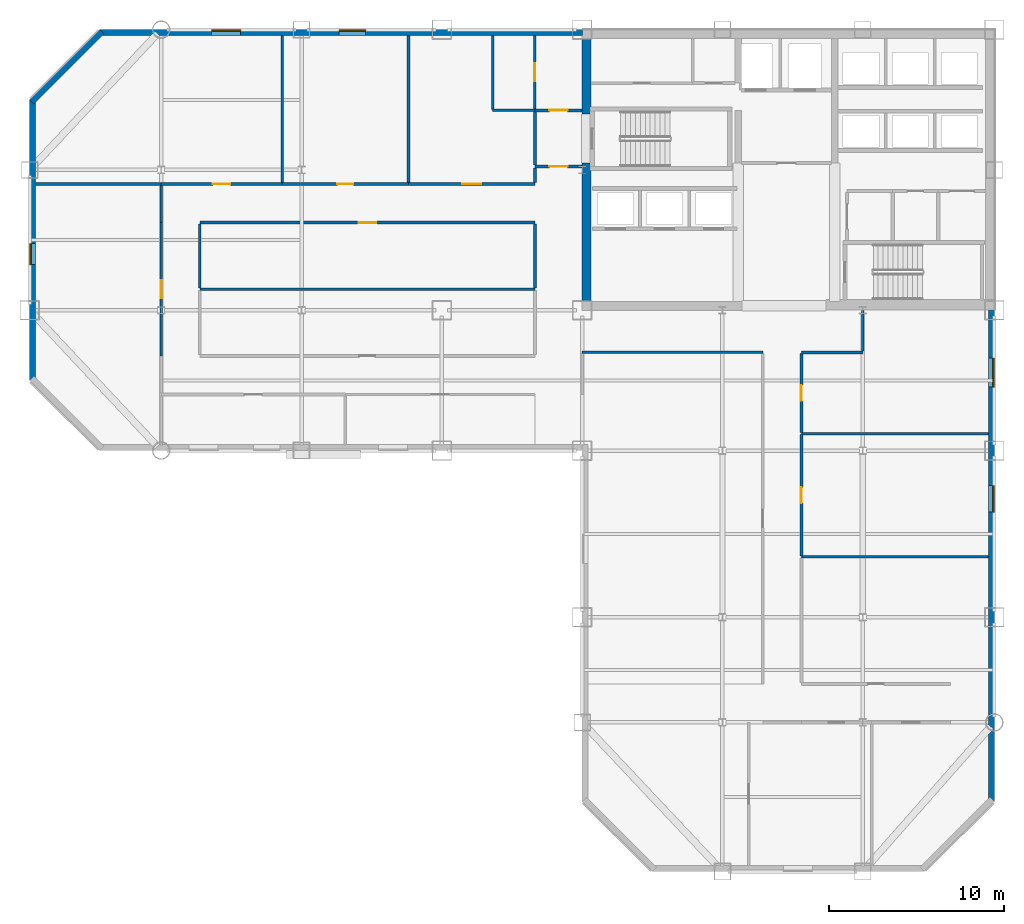
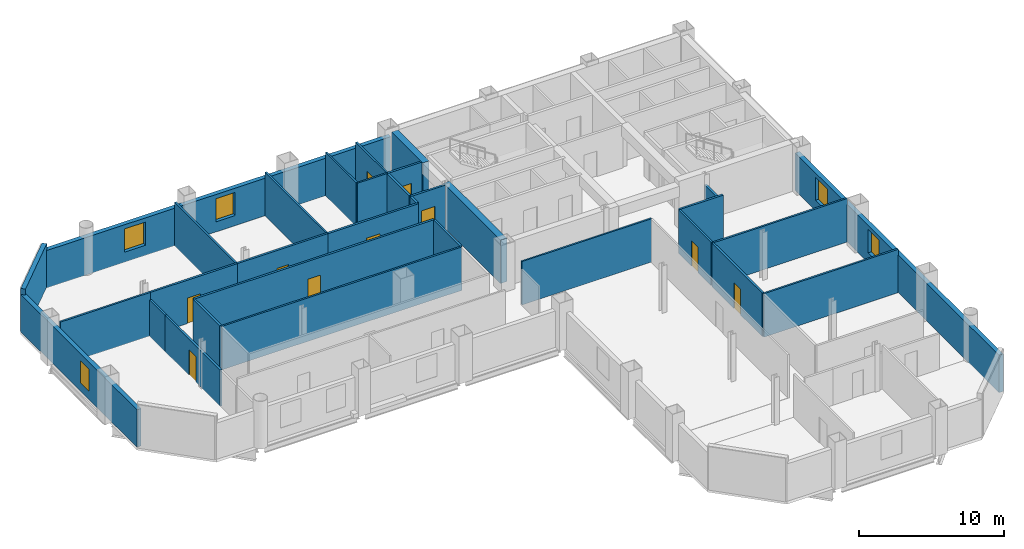
# One storey, part 6 of 10: 32 walls, 10 doors, 5 windows, 15 openings.
"""IFC4 building model written with IfcOpenShell, lengths in metres."""

from ifc_helpers import new_model, si_unit, direction, frame, frame_2d, origin, place, context, subcontext, project, spatial, rectangle, extrude, material, layer, layer_set, type_object, element, fill, save


model = new_model("IFC4")

# Units and contexts
model_context = context("Model", 3, precision=1e-05, world=origin(), true_north=direction((0.0, 1.0)))
body_context = subcontext(model_context, "Body", "Model", "MODEL_VIEW")
ifc_project = project(units=[si_unit("LENGTHUNIT", "METRE"), si_unit("AREAUNIT", "SQUARE_METRE"), si_unit("VOLUMEUNIT", "CUBIC_METRE"), si_unit("PLANEANGLEUNIT", "RADIAN"), si_unit("MASSUNIT", "GRAM", prefix="KILO")], contexts=[model_context])

# Site, building, storey
site_placement = place(None, origin())
site = spatial("IfcSite", under=ifc_project, at=site_placement, CompositionType="ELEMENT")
building_placement = place(site_placement, origin())
building = spatial("IfcBuilding", under=site, at=building_placement, Name="Qianrong Seaharbour Tower", CompositionType="ELEMENT")
storey_placement = place(building_placement, frame((0.0, 0.0, 191.0)))
storey = spatial("IfcBuildingStorey", under=building, at=storey_placement, Name="L46", CompositionType="ELEMENT", Elevation=191.0)

# Walls
ifc_material_1 = material(Name="Concrete C60/75", Category="concrete")
ifc_layer_1 = layer(ifc_material_1, 0.5)
ifc_layer_set_1 = layer_set([ifc_layer_1], Name="Concrete C60/75")
wall_type_1 = type_object("IfcWallType", Name="WALL-CORE-500", PredefinedType="SHEAR", material=ifc_layer_set_1)
wall_1_placement = place(storey_placement, frame((40.75, 36.5, 0.0), z_axis=(0.0, 0.0, 1.0), x_axis=(0.0, 1.0, 0.0)))
element("IfcWall", 1, at=wall_1_placement, inside=storey, type_object=wall_type_1, Name="L46 West Core Shear Wall South", PredefinedType="SHEAR", context=body_context, shape_type="SweptSolid", body=[
    extrude(rectangle(XDim=7.89990234375, YDim=0.5, at=frame_2d((3.949951171875, 0.0))), origin(), (0.0, 0.0, 1.0), 3.64990234375),
])
wall_2_placement = place(storey_placement, frame((40.75, 47.199951171875, 0.0), z_axis=(0.0, 0.0, 1.0), x_axis=(0.0, 1.0, 0.0)))
element("IfcWall", 2, at=wall_2_placement, inside=storey, type_object=wall_type_1, Name="L46 West Core Shear Wall North", PredefinedType="SHEAR", context=body_context, shape_type="SweptSolid", body=[
    extrude(rectangle(XDim=4.300048828125, YDim=0.5, at=frame_2d((2.14990234375, 0.0))), origin(), (0.0, 0.0, 1.0), 3.64990234375),
])

# Wall, opening, door
ifc_material_2 = material(Name="Fire-rated acoustic gypsum board partition")
ifc_layer_2 = layer(ifc_material_2, 0.1650390625)
ifc_layer_set_2 = layer_set([ifc_layer_2], Name="Fire-rated acoustic gypsum board partition")
wall_type_2 = type_object("IfcWallType", Name="WALL-CORR-PART-165", PredefinedType="PARTITIONING", material=ifc_layer_set_2)
wall_3_placement = place(storey_placement, frame((37.800048828125, 47.39990234375, 0.0), z_axis=(0.0, 0.0, 1.0), x_axis=(1.0, 0.0, 0.0)))
wall_3 = element("IfcWall", 3, at=wall_3_placement, inside=storey, type_object=wall_type_2, Name="L46 Interior Partition Wall 001", PredefinedType="PARTITIONING", context=body_context, shape_type="SweptSolid", body=[
    extrude(rectangle(XDim=2.699951171875, YDim=0.1650390625, at=frame_2d((1.35009765625, 0.0))), origin(), (0.0, 0.0, 1.0), 3.64990234375),
])
opening_1_placement = place(wall_3_placement, frame((0.824951171875, 0.0, 0.0)))
opening_1 = element("IfcOpeningElement", 4, at=opening_1_placement, cuts=wall_3, Name="Opening DC-01", PredefinedType="OPENING", context=body_context, shape_type="SweptSolid", body=[
    extrude(rectangle(XDim=1.050048828125, YDim=2.14990234375, at=frame_2d((0.52490234375, 1.074951171875))), frame((0.0, 0.092529296875, 0.0), z_axis=(0.0, -1.0, 0.0), x_axis=(1.0, 0.0, 0.0)), (0.0, 0.0, 1.0), 0.18505859375),
])
ifc_material_3 = material(Name="Acoustic timber and galvanized steel fire door assembly", Category="steel")
door_type_1 = type_object("IfcDoorType", Name="DOOR-CORR-FD60-1050x2150", OperationType="NOTDEFINED", PredefinedType="DOOR", material=ifc_material_3)
door_1_placement = place(opening_1_placement, origin())
door_1 = element("IfcDoor", 5, at=door_1_placement, inside=storey, type_object=door_type_1, Name="L46 Smokeproof Stair Vestibule ST-1 Door", OperationType="SINGLE_SWING_LEFT", OverallHeight=2.14990234375, OverallWidth=1.050048828125, PredefinedType="DOOR", context=body_context, shape_type="SweptSolid", body=[
    extrude(rectangle(XDim=1.050048828125, YDim=2.14990234375, at=frame_2d((0.52490234375, 1.074951171875))), frame((0.0, 0.02490234375, 0.0), z_axis=(0.0, -1.0, 0.0), x_axis=(1.0, 0.0, 0.0)), (0.0, 0.0, 1.0), 0.050048828125),
])
fill(opening_1, door_1)

wall_4_placement = place(storey_placement, frame((40.5, 44.199951171875, 0.0), z_axis=(0.0, 0.0, 1.0), x_axis=(-1.0, 0.0, 0.0)))
wall_4 = element("IfcWall", 6, at=wall_4_placement, inside=storey, type_object=wall_type_2, Name="L46 Interior Partition Wall 002", PredefinedType="PARTITIONING", context=body_context, shape_type="SweptSolid", body=[
    extrude(rectangle(XDim=2.699951171875, YDim=0.1650390625, at=frame_2d((1.35009765625, 0.0))), origin(), (0.0, 0.0, 1.0), 3.64990234375),
])
opening_2_placement = place(wall_4_placement, frame((0.824951171875, 0.0, 0.0)))
opening_2 = element("IfcOpeningElement", 7, at=opening_2_placement, cuts=wall_4, Name="Opening DC-01", PredefinedType="OPENING", context=body_context, shape_type="SweptSolid", body=[
    extrude(rectangle(XDim=1.050048828125, YDim=2.14990234375, at=frame_2d((0.52490234375, 1.074951171875))), frame((0.0, 0.092529296875, 0.0), z_axis=(0.0, -1.0, 0.0), x_axis=(1.0, 0.0, 0.0)), (0.0, 0.0, 1.0), 0.18505859375),
])
door_2_placement = place(opening_2_placement, origin())
door_2 = element("IfcDoor", 8, at=door_2_placement, inside=storey, type_object=door_type_1, Name="L46 Smokeproof Stair Vestibule ST-1 Door", OperationType="SINGLE_SWING_RIGHT", OverallHeight=2.14990234375, OverallWidth=1.050048828125, PredefinedType="DOOR", context=body_context, shape_type="SweptSolid", body=[
    extrude(rectangle(XDim=1.050048828125, YDim=2.14990234375, at=frame_2d((0.52490234375, 1.074951171875))), frame((0.0, 0.02490234375, 0.0), z_axis=(0.0, -1.0, 0.0), x_axis=(1.0, 0.0, 0.0)), (0.0, 0.0, 1.0), 0.050048828125),
])
fill(opening_2, door_2)

# Wall
wall_5_placement = place(storey_placement, frame((37.800048828125, 44.2744140625, 0.0), z_axis=(0.0, 0.0, 1.0), x_axis=(0.0, 1.0, 0.0)))
element("IfcWall", 9, at=wall_5_placement, inside=storey, type_object=wall_type_2, Name="L46 Interior Partition Wall 003", PredefinedType="PARTITIONING", context=body_context, shape_type="SweptSolid", body=[
    extrude(rectangle(XDim=3.051025390625, YDim=0.1650390625, at=frame_2d((1.525390625, 0.0))), origin(), (0.0, 0.0, 1.0), 3.64990234375),
])

# Wall, opening, door
wall_6_placement = place(storey_placement, frame((16.5, 43.199951171875, 0.0), z_axis=(0.0, 0.0, 1.0), x_axis=(1.0, 0.0, 0.0)))
wall_6 = element("IfcWall", 10, at=wall_6_placement, inside=storey, type_object=wall_type_2, Name="L46 Interior Partition Wall 021", PredefinedType="PARTITIONING", context=body_context, shape_type="SweptSolid", body=[
    extrude(rectangle(XDim=6.89990234375, YDim=0.1650390625, at=frame_2d((3.449951171875, 0.0))), origin(), (0.0, 0.0, 1.0), 3.64990234375),
])
opening_3_placement = place(wall_6_placement, frame((2.949951171875, 0.0, 0.0)))
opening_3 = element("IfcOpeningElement", 11, at=opening_3_placement, cuts=wall_6, Name="Opening DO-01", PredefinedType="OPENING", context=body_context, shape_type="SweptSolid", body=[
    extrude(rectangle(XDim=1.0, YDim=2.14990234375, at=frame_2d((0.5, 1.074951171875))), frame((0.0, 0.092529296875, 0.0), z_axis=(0.0, -1.0, 0.0), x_axis=(1.0, 0.0, 0.0)), (0.0, 0.0, 1.0), 0.18505859375),
])
door_type_2 = type_object("IfcDoorType", Name="DOOR-OFFICE-1000x2150", OperationType="NOTDEFINED", PredefinedType="DOOR", material=ifc_material_3)
door_3_placement = place(opening_3_placement, origin())
door_3 = element("IfcDoor", 12, at=door_3_placement, inside=storey, type_object=door_type_2, Name="L46 Legal Support Open-Plan Office Door", OperationType="SINGLE_SWING_RIGHT", OverallHeight=2.14990234375, OverallWidth=1.0, PredefinedType="DOOR", context=body_context, shape_type="SweptSolid", body=[
    extrude(rectangle(XDim=1.0, YDim=2.14990234375, at=frame_2d((0.5, 1.074951171875))), frame((0.0, 0.02490234375, 0.0), z_axis=(0.0, -1.0, 0.0), x_axis=(1.0, 0.0, 0.0)), (0.0, 0.0, 1.0), 0.050048828125),
])
fill(opening_3, door_3)

wall_7_placement = place(storey_placement, frame((23.39990234375, 43.199951171875, 0.0), z_axis=(0.0, 0.0, 1.0), x_axis=(1.0, 0.0, 0.0)))
wall_7 = element("IfcWall", 13, at=wall_7_placement, inside=storey, type_object=wall_type_2, Name="L46 Interior Partition Wall 022", PredefinedType="PARTITIONING", context=body_context, shape_type="SweptSolid", body=[
    extrude(rectangle(XDim=7.2001953125, YDim=0.1650390625, at=frame_2d((3.60009765625, 0.0))), origin(), (0.0, 0.0, 1.0), 3.64990234375),
])
opening_4_placement = place(wall_7_placement, frame((3.14990234375, 0.0, 0.0)))
opening_4 = element("IfcOpeningElement", 14, at=opening_4_placement, cuts=wall_7, Name="Opening DS-01", PredefinedType="OPENING", context=body_context, shape_type="SweptSolid", body=[
    extrude(rectangle(XDim=0.89990234375, YDim=2.14990234375, at=frame_2d((0.449951171875, 1.074951171875))), frame((0.0, 0.092529296875, 0.0), z_axis=(0.0, -1.0, 0.0), x_axis=(1.0, 0.0, 0.0)), (0.0, 0.0, 1.0), 0.18505859375),
])
door_type_3 = type_object("IfcDoorType", Name="DOOR-STORE-900x2150", OperationType="NOTDEFINED", PredefinedType="DOOR", material=ifc_material_3)
door_4_placement = place(opening_4_placement, origin())
door_4 = element("IfcDoor", 15, at=door_4_placement, inside=storey, type_object=door_type_3, Name="L46 Corporate Archive Room 1 Door", OperationType="SINGLE_SWING_LEFT", OverallHeight=2.14990234375, OverallWidth=0.89990234375, PredefinedType="DOOR", context=body_context, shape_type="SweptSolid", body=[
    extrude(rectangle(XDim=0.89990234375, YDim=2.14990234375, at=frame_2d((0.449951171875, 1.074951171875))), frame((0.0, 0.02490234375, 0.0), z_axis=(0.0, -1.0, 0.0), x_axis=(1.0, 0.0, 0.0)), (0.0, 0.0, 1.0), 0.050048828125),
])
fill(opening_4, door_4)

wall_8_placement = place(storey_placement, frame((30.60009765625, 43.199951171875, 0.0), z_axis=(0.0, 0.0, 1.0), x_axis=(1.0, 0.0, 0.0)))
wall_8 = element("IfcWall", 16, at=wall_8_placement, inside=storey, type_object=wall_type_2, Name="L46 Interior Partition Wall 023", PredefinedType="PARTITIONING", context=body_context, shape_type="SweptSolid", body=[
    extrude(rectangle(XDim=7.199951171875, YDim=0.1650390625, at=frame_2d((3.60009765625, 0.0))), origin(), (0.0, 0.0, 1.0), 3.64990234375),
])
opening_5_placement = place(wall_8_placement, frame((3.050048828125, 0.0, 0.0)))
opening_5 = element("IfcOpeningElement", 17, at=opening_5_placement, cuts=wall_8, Name="Opening DM-01", PredefinedType="OPENING", context=body_context, shape_type="SweptSolid", body=[
    extrude(rectangle(XDim=1.10009765625, YDim=2.199951171875, at=frame_2d((0.550048828125, 1.10009765625))), frame((0.0, 0.092529296875, 0.0), z_axis=(0.0, -1.0, 0.0), x_axis=(1.0, 0.0, 0.0)), (0.0, 0.0, 1.0), 0.18505859375),
])
door_type_4 = type_object("IfcDoorType", Name="DOOR-MEET-1100x2200", OperationType="NOTDEFINED", PredefinedType="DOOR", material=ifc_material_3)
door_5_placement = place(opening_5_placement, origin())
door_5 = element("IfcDoor", 18, at=door_5_placement, inside=storey, type_object=door_type_4, Name="L46 Boardroom 2 Door", OperationType="SINGLE_SWING_RIGHT", OverallHeight=2.199951171875, OverallWidth=1.10009765625, PredefinedType="DOOR", context=body_context, shape_type="SweptSolid", body=[
    extrude(rectangle(XDim=1.10009765625, YDim=2.199951171875, at=frame_2d((0.550048828125, 1.10009765625))), frame((0.0, 0.02490234375, 0.0), z_axis=(0.0, -1.0, 0.0), x_axis=(1.0, 0.0, 0.0)), (0.0, 0.0, 1.0), 0.050048828125),
])
fill(opening_5, door_5)

wall_9_placement = place(storey_placement, frame((37.800048828125, 41.0, 0.0), z_axis=(0.0, 0.0, 1.0), x_axis=(-1.0, 0.0, 0.0)))
wall_9 = element("IfcWall", 19, at=wall_9_placement, inside=storey, type_object=wall_type_2, Name="L46 Interior Partition Wall 024", PredefinedType="PARTITIONING", context=body_context, shape_type="SweptSolid", body=[
    extrude(rectangle(XDim=19.10009765625, YDim=0.1650390625, at=frame_2d((9.550048828125, 0.0))), origin(), (0.0, 0.0, 1.0), 3.64990234375),
])
opening_6_placement = place(wall_9_placement, frame((9.050048828125, 0.0, 0.0)))
opening_6 = element("IfcOpeningElement", 20, at=opening_6_placement, cuts=wall_9, Name="Opening DO-01", PredefinedType="OPENING", context=body_context, shape_type="SweptSolid", body=[
    extrude(rectangle(XDim=1.0, YDim=2.14990234375, at=frame_2d((0.5, 1.074951171875))), frame((0.0, 0.092529296875, 0.0), z_axis=(0.0, -1.0, 0.0), x_axis=(1.0, 0.0, 0.0)), (0.0, 0.0, 1.0), 0.18505859375),
])
door_6_placement = place(opening_6_placement, origin())
door_6 = element("IfcDoor", 21, at=door_6_placement, inside=storey, type_object=door_type_2, Name="L46 Arbitration Hearing Hall 2 Door", OperationType="SINGLE_SWING_RIGHT", OverallHeight=2.14990234375, OverallWidth=1.0, PredefinedType="DOOR", context=body_context, shape_type="SweptSolid", body=[
    extrude(rectangle(XDim=1.0, YDim=2.14990234375, at=frame_2d((0.5, 1.074951171875))), frame((0.0, 0.02490234375, 0.0), z_axis=(0.0, -1.0, 0.0), x_axis=(1.0, 0.0, 0.0)), (0.0, 0.0, 1.0), 0.050048828125),
])
fill(opening_6, door_6)

# Walls
wall_10_placement = place(storey_placement, frame((16.5, 41.0, 0.0), z_axis=(0.0, 0.0, 1.0), x_axis=(0.0, 1.0, 0.0)))
element("IfcWall", 22, at=wall_10_placement, inside=storey, type_object=wall_type_2, Name="L46 Interior Partition Wall 025", PredefinedType="PARTITIONING", context=body_context, shape_type="SweptSolid", body=[
    extrude(rectangle(XDim=2.12548828125, YDim=0.1650390625, at=frame_2d((1.062744140625, 0.0))), origin(), (0.0, 0.0, 1.0), 3.0419921875),
])
wall_11_placement = place(storey_placement, frame((18.699951171875, 40.925537109375, 0.0), z_axis=(0.0, 0.0, 1.0), x_axis=(0.0, -1.0, 0.0)))
element("IfcWall", 23, at=wall_11_placement, inside=storey, type_object=wall_type_2, Name="L46 Interior Partition Wall 027", PredefinedType="PARTITIONING", context=body_context, shape_type="SweptSolid", body=[
    extrude(rectangle(XDim=3.6611328125, YDim=0.1650390625, at=frame_2d((1.83056640625, 0.0))), origin(), (0.0, 0.0, 1.0), 3.64990234375),
])

# Wall, opening, door
wall_12_placement = place(storey_placement, frame((16.5, 33.39990234375, 0.0), z_axis=(0.0, 0.0, 1.0), x_axis=(0.0, 1.0, 0.0)))
wall_12 = element("IfcWall", 24, at=wall_12_placement, inside=storey, type_object=wall_type_2, Name="L46 Interior Partition Wall 028", PredefinedType="PARTITIONING", context=body_context, shape_type="SweptSolid", body=[
    extrude(rectangle(XDim=7.60009765625, YDim=0.1650390625, at=frame_2d((3.800048828125, 0.0))), origin(), (0.0, 0.0, 1.0), 3.0419921875),
])
opening_7_placement = place(wall_12_placement, frame((3.300048828125, 0.0, 0.0)))
opening_7 = element("IfcOpeningElement", 25, at=opening_7_placement, cuts=wall_12, Name="Opening DO-01", PredefinedType="OPENING", context=body_context, shape_type="SweptSolid", body=[
    extrude(rectangle(XDim=1.0, YDim=2.14990234375, at=frame_2d((0.5, 1.074951171875))), frame((0.0, 0.092529296875, 0.0), z_axis=(0.0, -1.0, 0.0), x_axis=(1.0, 0.0, 0.0)), (0.0, 0.0, 1.0), 0.18505859375),
])
door_7_placement = place(opening_7_placement, origin())
door_7 = element("IfcDoor", 26, at=door_7_placement, inside=storey, type_object=door_type_2, Name="L46 Registry Open-Plan Office Door", OperationType="SINGLE_SWING_LEFT", OverallHeight=2.14990234375, OverallWidth=1.0, PredefinedType="DOOR", context=body_context, shape_type="SweptSolid", body=[
    extrude(rectangle(XDim=1.0, YDim=2.14990234375, at=frame_2d((0.5, 1.074951171875))), frame((0.0, 0.02490234375, 0.0), z_axis=(0.0, -1.0, 0.0), x_axis=(1.0, 0.0, 0.0)), (0.0, 0.0, 1.0), 0.050048828125),
])
fill(opening_7, door_7)

# Walls
wall_13_placement = place(storey_placement, frame((37.800048828125, 43.2744140625, 0.0), z_axis=(0.0, 0.0, 1.0), x_axis=(0.0, 1.0, 0.0)))
element("IfcWall", 27, at=wall_13_placement, inside=storey, type_object=wall_type_2, Name="L46 Interior Partition Wall 029", PredefinedType="PARTITIONING", context=body_context, shape_type="SweptSolid", body=[
    extrude(rectangle(XDim=0.85107421875, YDim=0.1650390625, at=frame_2d((0.425537109375, 0.0))), origin(), (0.0, 0.0, 1.0), 3.64990234375),
])
wall_14_placement = place(storey_placement, frame((37.800048828125, 37.264404296875, 0.0), z_axis=(0.0, 0.0, 1.0), x_axis=(0.0, 1.0, 0.0)))
element("IfcWall", 28, at=wall_14_placement, inside=storey, type_object=wall_type_2, Name="L46 Interior Partition Wall 031", PredefinedType="PARTITIONING", context=body_context, shape_type="SweptSolid", body=[
    extrude(rectangle(XDim=3.6611328125, YDim=0.1650390625, at=frame_2d((1.83056640625, 0.0))), origin(), (0.0, 0.0, 1.0), 3.64990234375),
])
wall_15_placement = place(storey_placement, frame((56.5, 36.0, 0.0), z_axis=(0.0, 0.0, 1.0), x_axis=(0.0, -1.0, 0.0)))
element("IfcWall", 29, at=wall_15_placement, inside=storey, type_object=wall_type_2, Name="L46 Interior Partition Wall 033", PredefinedType="PARTITIONING", context=body_context, shape_type="SweptSolid", body=[
    extrude(rectangle(XDim=2.325439453125, YDim=0.1650390625, at=frame_2d((1.16259765625, 0.0))), origin(), (0.0, 0.0, 1.0), 3.0419921875),
])
wall_16_placement = place(storey_placement, frame((56.5, 33.60009765625, 0.0), z_axis=(0.0, 0.0, 1.0), x_axis=(-1.0, 0.0, 0.0)))
element("IfcWall", 30, at=wall_16_placement, inside=storey, type_object=wall_type_2, Name="L46 Interior Partition Wall 034", PredefinedType="PARTITIONING", context=body_context, shape_type="SweptSolid", body=[
    extrude(rectangle(XDim=3.5, YDim=0.1650390625, at=frame_2d((1.75, 0.0))), origin(), (0.0, 0.0, 1.0), 3.64990234375),
])

# Wall, opening, door
wall_17_placement = place(storey_placement, frame((53.0, 28.905517578125, 0.0), z_axis=(0.0, 0.0, 1.0), x_axis=(0.0, -1.0, 0.0)))
wall_17 = element("IfcWall", 31, at=wall_17_placement, inside=storey, type_object=wall_type_2, Name="L46 Interior Partition Wall 037", PredefinedType="PARTITIONING", context=body_context, shape_type="SweptSolid", body=[
    extrude(rectangle(XDim=6.901123046875, YDim=0.1650390625, at=frame_2d((3.45068359375, 0.0))), origin(), (0.0, 0.0, 1.0), 3.64990234375),
])
opening_8_placement = place(wall_17_placement, frame((3.00048828125, 0.0, 0.0)))
opening_8 = element("IfcOpeningElement", 32, at=opening_8_placement, cuts=wall_17, Name="Opening DS-01", PredefinedType="OPENING", context=body_context, shape_type="SweptSolid", body=[
    extrude(rectangle(XDim=0.89990234375, YDim=2.14990234375, at=frame_2d((0.449951171875, 1.074951171875))), frame((0.0, 0.092529296875, 0.0), z_axis=(0.0, -1.0, 0.0), x_axis=(1.0, 0.0, 0.0)), (0.0, 0.0, 1.0), 0.18505859375),
])
door_8_placement = place(opening_8_placement, origin())
door_8 = element("IfcDoor", 33, at=door_8_placement, inside=storey, type_object=door_type_3, Name="L46 Closed File Store 2 Door", OperationType="SINGLE_SWING_LEFT", OverallHeight=2.14990234375, OverallWidth=0.89990234375, PredefinedType="DOOR", context=body_context, shape_type="SweptSolid", body=[
    extrude(rectangle(XDim=0.89990234375, YDim=2.14990234375, at=frame_2d((0.449951171875, 1.074951171875))), frame((0.0, 0.02490234375, 0.0), z_axis=(0.0, -1.0, 0.0), x_axis=(1.0, 0.0, 0.0)), (0.0, 0.0, 1.0), 0.050048828125),
])
fill(opening_8, door_8)

wall_18_placement = place(storey_placement, frame((53.0, 33.525390625, 0.0), z_axis=(0.0, 0.0, 1.0), x_axis=(0.0, -1.0, 0.0)))
wall_18 = element("IfcWall", 34, at=wall_18_placement, inside=storey, type_object=wall_type_2, Name="L46 Interior Partition Wall 038", PredefinedType="PARTITIONING", context=body_context, shape_type="SweptSolid", body=[
    extrude(rectangle(XDim=4.490966796875, YDim=0.1650390625, at=frame_2d((2.24560546875, 0.0))), origin(), (0.0, 0.0, 1.0), 3.64990234375),
])
opening_9_placement = place(wall_18_placement, frame((1.79541015625, 0.0, 0.0)))
opening_9 = element("IfcOpeningElement", 35, at=opening_9_placement, cuts=wall_18, Name="Opening DS-01", PredefinedType="OPENING", context=body_context, shape_type="SweptSolid", body=[
    extrude(rectangle(XDim=0.89990234375, YDim=2.14990234375, at=frame_2d((0.449951171875, 1.074951171875))), frame((0.0, 0.092529296875, 0.0), z_axis=(0.0, -1.0, 0.0), x_axis=(1.0, 0.0, 0.0)), (0.0, 0.0, 1.0), 0.18505859375),
])
door_9_placement = place(opening_9_placement, origin())
door_9 = element("IfcDoor", 36, at=door_9_placement, inside=storey, type_object=door_type_3, Name="L46 Document Registry Store 3 Door", OperationType="SINGLE_SWING_RIGHT", OverallHeight=2.14990234375, OverallWidth=0.89990234375, PredefinedType="DOOR", context=body_context, shape_type="SweptSolid", body=[
    extrude(rectangle(XDim=0.89990234375, YDim=2.14990234375, at=frame_2d((0.449951171875, 1.074951171875))), frame((0.0, 0.02490234375, 0.0), z_axis=(0.0, -1.0, 0.0), x_axis=(1.0, 0.0, 0.0)), (0.0, 0.0, 1.0), 0.050048828125),
])
fill(opening_9, door_9)

# Wall, opening, window
ifc_material_4 = material(Name="Unitised buff brick on Precast concrete C45/55", Category="masonry")
ifc_layer_3 = layer(ifc_material_4, 0.340087890625)
ifc_layer_set_3 = layer_set([ifc_layer_3], Name="Unitised buff brick on Precast concrete C45/55")
wall_type_3 = type_object("IfcWallType", Name="WALL-EXT-BRICK-BUFF-340", PredefinedType="SOLIDWALL", material=ifc_layer_set_3)
wall_19_placement = place(storey_placement, frame((9.169921875, 32.0, 0.0), z_axis=(0.0, 0.0, 1.0), x_axis=(0.0, 1.0, 0.0)))
wall_19 = element("IfcWall", 37, at=wall_19_placement, inside=storey, type_object=wall_type_3, Name="L46 Exterior Masonry Facade Wall WEST_TIP", PredefinedType="SOLIDWALL", context=body_context, shape_type="SweptSolid", body=[
    extrude(rectangle(XDim=16.0, YDim=0.340087890625, at=frame_2d((8.0, 0.0))), origin(), (0.0, 0.0, 1.0), 3.14990234375),
])
opening_10_placement = place(wall_19_placement, frame((6.60009765625, 0.0, 0.699951171875)))
opening_10 = element("IfcOpeningElement", 38, at=opening_10_placement, cuts=wall_19, Name="Opening WN-01", PredefinedType="OPENING", context=body_context, shape_type="SweptSolid", body=[
    extrude(rectangle(XDim=1.199951171875, YDim=1.85009765625, at=frame_2d((0.60009765625, 0.925048828125))), frame((0.0, 0.18017578125, 0.0), z_axis=(0.0, -1.0, 0.0), x_axis=(1.0, 0.0, 0.0)), (0.0, 0.0, 1.0), 0.360107421875),
])
ifc_material_5 = material(Name="Insulated low-e double glazing in thermally broken aluminium 6063-T6 frame", Category="aluminium")
window_type_1 = type_object("IfcWindowType", Name="WIN-PUNCH-1200x1850", PartitioningType="DOUBLE_PANEL_VERTICAL", PredefinedType="WINDOW", material=ifc_material_5)
window_1_placement = place(opening_10_placement, origin())
window_1 = element("IfcWindow", 39, at=window_1_placement, inside=storey, type_object=window_type_1, Name="L46 Deep-Set Punched Window 03.02", OverallHeight=1.85009765625, OverallWidth=1.199951171875, PartitioningType="DOUBLE_PANEL_VERTICAL", PredefinedType="WINDOW", context=body_context, shape_type="SweptSolid", body=[
    extrude(rectangle(XDim=1.199951171875, YDim=1.85009765625, at=frame_2d((0.60009765625, 0.925048828125))), frame((0.0, 0.150146484375, 0.0), z_axis=(0.0, -1.0, 0.0), x_axis=(1.0, 0.0, 0.0)), (0.0, 0.0, 1.0), 0.06005859375),
])
fill(opening_10, window_1)

# Wall
wall_20_placement = place(storey_placement, frame((9.1201171875, 47.8798828125, 0.0), z_axis=(0.0, 0.0, 1.0), x_axis=(0.707106781187, 0.707106781187, 0.0)))
element("IfcWall", 40, at=wall_20_placement, inside=storey, type_object=wall_type_3, Name="L46 Exterior Masonry Facade Wall E04", PredefinedType="SOLIDWALL", context=body_context, shape_type="SweptSolid", body=[
    extrude(rectangle(XDim=5.65673828125, YDim=0.340087890625, at=frame_2d((2.828369140625, 0.0))), origin(), (0.0, 0.0, 1.0), 3.64990234375),
])

# Wall, openings, windows
wall_21_placement = place(storey_placement, frame((13.0, 51.830078125, 0.0), z_axis=(0.0, 0.0, 1.0), x_axis=(1.0, 0.0, 0.0)))
wall_21 = element("IfcWall", 41, at=wall_21_placement, inside=storey, type_object=wall_type_3, Name="L46 Exterior Masonry Facade Wall NORTH_WING", PredefinedType="SOLIDWALL", context=body_context, shape_type="SweptSolid", body=[
    extrude(rectangle(XDim=27.52001953125, YDim=0.340087890625, at=frame_2d((13.760009765625, 0.0))), origin(), (0.0, 0.0, 1.0), 3.14990234375),
])
opening_11_placement = place(wall_21_placement, frame((6.375, 0.0, 0.85009765625)))
opening_11 = element("IfcOpeningElement", 42, at=opening_11_placement, cuts=wall_21, Name="Opening WN-04", PredefinedType="OPENING", context=body_context, shape_type="SweptSolid", body=[
    extrude(rectangle(XDim=1.64990234375, YDim=1.949951171875, at=frame_2d((0.824951171875, 0.97509765625))), frame((0.0, 0.18017578125, 0.0), z_axis=(0.0, -1.0, 0.0), x_axis=(1.0, 0.0, 0.0)), (0.0, 0.0, 1.0), 0.360107421875),
])
opening_12_placement = place(wall_21_placement, frame((13.64990234375, 0.0, 0.85009765625)))
opening_12 = element("IfcOpeningElement", 43, at=opening_12_placement, cuts=wall_21, Name="Opening WN-03", PredefinedType="OPENING", context=body_context, shape_type="SweptSolid", body=[
    extrude(rectangle(XDim=1.5, YDim=1.949951171875, at=frame_2d((0.75, 0.97509765625))), frame((0.0, 0.18017578125, 0.0), z_axis=(0.0, -1.0, 0.0), x_axis=(1.0, 0.0, 0.0)), (0.0, 0.0, 1.0), 0.360107421875),
])
window_type_2 = type_object("IfcWindowType", Name="WIN-PUNCH-1500x1950", PartitioningType="DOUBLE_PANEL_VERTICAL", PredefinedType="WINDOW", material=ifc_material_5)
window_2_placement = place(opening_12_placement, origin())
window_2 = element("IfcWindow", 44, at=window_2_placement, inside=storey, type_object=window_type_2, Name="L46 Deep-Set Punched Window 05.04", OverallHeight=1.949951171875, OverallWidth=1.5, PartitioningType="DOUBLE_PANEL_VERTICAL", PredefinedType="WINDOW", context=body_context, shape_type="SweptSolid", body=[
    extrude(rectangle(XDim=1.5, YDim=1.949951171875, at=frame_2d((0.75, 0.97509765625))), frame((0.0, 0.150146484375, 0.0), z_axis=(0.0, -1.0, 0.0), x_axis=(1.0, 0.0, 0.0)), (0.0, 0.0, 1.0), 0.06005859375),
])
fill(opening_12, window_2)
window_type_3 = type_object("IfcWindowType", Name="WIN-PUNCH-1650x1950", PartitioningType="DOUBLE_PANEL_VERTICAL", PredefinedType="WINDOW", material=ifc_material_5)
window_3_placement = place(opening_11_placement, origin())
window_3 = element("IfcWindow", 45, at=window_3_placement, inside=storey, type_object=window_type_3, Name="L46 Deep-Set Punched Window 05.02", OverallHeight=1.949951171875, OverallWidth=1.64990234375, PartitioningType="DOUBLE_PANEL_VERTICAL", PredefinedType="WINDOW", context=body_context, shape_type="SweptSolid", body=[
    extrude(rectangle(XDim=1.64990234375, YDim=1.949951171875, at=frame_2d((0.824951171875, 0.97509765625))), frame((0.0, 0.150146484375, 0.0), z_axis=(0.0, -1.0, 0.0), x_axis=(1.0, 0.0, 0.0)), (0.0, 0.0, 1.0), 0.06005859375),
])
fill(opening_11, window_3)

wall_22_placement = place(storey_placement, frame((63.830078125, 36.050048828125, 0.0), z_axis=(0.0, 0.0, 1.0), x_axis=(0.0, -1.0, 0.0)))
wall_22 = element("IfcWall", 46, at=wall_22_placement, inside=storey, type_object=wall_type_3, Name="L46 Exterior Masonry Facade Wall EAST_WING", PredefinedType="SOLIDWALL", context=body_context, shape_type="SweptSolid", body=[
    extrude(rectangle(XDim=28.050048828125, YDim=0.340087890625, at=frame_2d((14.02490234375, 0.0))), origin(), (0.0, 0.0, 1.0), 3.14990234375),
])
opening_13_placement = place(wall_22_placement, frame((2.77490234375, 0.0, 0.85009765625)))
opening_13 = element("IfcOpeningElement", 47, at=opening_13_placement, cuts=wall_22, Name="Opening WN-04", PredefinedType="OPENING", context=body_context, shape_type="SweptSolid", body=[
    extrude(rectangle(XDim=1.64990234375, YDim=1.949951171875, at=frame_2d((0.824951171875, 0.97509765625))), frame((0.0, 0.18017578125, 0.0), z_axis=(0.0, -1.0, 0.0), x_axis=(1.0, 0.0, 0.0)), (0.0, 0.0, 1.0), 0.360107421875),
])
opening_14_placement = place(wall_22_placement, frame((10.050048828125, 0.0, 0.85009765625)))
opening_14 = element("IfcOpeningElement", 48, at=opening_14_placement, cuts=wall_22, Name="Opening WN-03", PredefinedType="OPENING", context=body_context, shape_type="SweptSolid", body=[
    extrude(rectangle(XDim=1.5, YDim=1.949951171875, at=frame_2d((0.75, 0.97509765625))), frame((0.0, 0.18017578125, 0.0), z_axis=(0.0, -1.0, 0.0), x_axis=(1.0, 0.0, 0.0)), (0.0, 0.0, 1.0), 0.360107421875),
])
window_4_placement = place(opening_14_placement, origin())
window_4 = element("IfcWindow", 49, at=window_4_placement, inside=storey, type_object=window_type_2, Name="L46 Deep-Set Punched Window 06.03", OverallHeight=1.949951171875, OverallWidth=1.5, PartitioningType="DOUBLE_PANEL_VERTICAL", PredefinedType="WINDOW", context=body_context, shape_type="SweptSolid", body=[
    extrude(rectangle(XDim=1.5, YDim=1.949951171875, at=frame_2d((0.75, 0.97509765625))), frame((0.0, 0.150146484375, 0.0), z_axis=(0.0, -1.0, 0.0), x_axis=(1.0, 0.0, 0.0)), (0.0, 0.0, 1.0), 0.06005859375),
])
fill(opening_14, window_4)
window_5_placement = place(opening_13_placement, origin())
window_5 = element("IfcWindow", 50, at=window_5_placement, inside=storey, type_object=window_type_3, Name="L46 Deep-Set Punched Window 06.01", OverallHeight=1.949951171875, OverallWidth=1.64990234375, PartitioningType="DOUBLE_PANEL_VERTICAL", PredefinedType="WINDOW", context=body_context, shape_type="SweptSolid", body=[
    extrude(rectangle(XDim=1.64990234375, YDim=1.949951171875, at=frame_2d((0.824951171875, 0.97509765625))), frame((0.0, 0.150146484375, 0.0), z_axis=(0.0, -1.0, 0.0), x_axis=(1.0, 0.0, 0.0)), (0.0, 0.0, 1.0), 0.06005859375),
])
fill(opening_13, window_5)

# Walls
ifc_material_6 = material(Name="Acoustic gypsum board stud partition")
ifc_layer_4 = layer(ifc_material_6, 0.14501953125)
ifc_layer_set_4 = layer_set([ifc_layer_4], Name="Acoustic gypsum board stud partition")
wall_type_4 = type_object("IfcWallType", Name="WALL-OFFICE-PART-145", PredefinedType="PARTITIONING", material=ifc_layer_set_4)
wall_23_placement = place(storey_placement, frame((23.39990234375, 51.66796875, 0.0), z_axis=(0.0, 0.0, 1.0), x_axis=(0.0, -1.0, 0.0)))
element("IfcWall", 51, at=wall_23_placement, inside=storey, type_object=wall_type_4, Name="L46 Interior Partition Wall 044", PredefinedType="PARTITIONING", context=body_context, shape_type="SweptSolid", body=[
    extrude(rectangle(XDim=8.3935546875, YDim=0.14501953125, at=frame_2d((4.19677734375, 0.0))), origin(), (0.0, 0.0, 1.0), 3.64990234375),
])
wall_24_placement = place(storey_placement, frame((16.5, 43.199951171875, 0.0), z_axis=(0.0, 0.0, 1.0), x_axis=(-1.0, 0.0, 0.0)))
element("IfcWall", 52, at=wall_24_placement, inside=storey, type_object=wall_type_4, Name="L46 Interior Partition Wall 045", PredefinedType="PARTITIONING", context=body_context, shape_type="SweptSolid", body=[
    extrude(rectangle(XDim=7.16796875, YDim=0.14501953125, at=frame_2d((3.583984375, 0.0))), origin(), (0.0, 0.0, 1.0), 3.64990234375),
])
wall_25_placement = place(storey_placement, frame((30.60009765625, 51.66796875, 0.0), z_axis=(0.0, 0.0, 1.0), x_axis=(0.0, -1.0, 0.0)))
element("IfcWall", 53, at=wall_25_placement, inside=storey, type_object=wall_type_4, Name="L46 Interior Partition Wall 046", PredefinedType="PARTITIONING", context=body_context, shape_type="SweptSolid", body=[
    extrude(rectangle(XDim=8.3935546875, YDim=0.14501953125, at=frame_2d((4.19677734375, 0.0))), origin(), (0.0, 0.0, 1.0), 3.64990234375),
])
wall_26_placement = place(storey_placement, frame((18.699951171875, 37.199951171875, 0.0), z_axis=(0.0, 0.0, 1.0), x_axis=(1.0, 0.0, 0.0)))
element("IfcWall", 54, at=wall_26_placement, inside=storey, type_object=wall_type_4, Name="L46 Interior Partition Wall 047", PredefinedType="PARTITIONING", context=body_context, shape_type="SweptSolid", body=[
    extrude(rectangle(XDim=19.10009765625, YDim=0.14501953125, at=frame_2d((9.550048828125, 0.0))), origin(), (0.0, 0.0, 1.0), 3.64990234375),
])
for number, where, z_axis, x_axis, name in (
    (55, (53.0, 21.93994140625, 0.0), (0.0, 0.0, 1.0), (1.0, 0.0, 0.0), "L46 Interior Partition Wall 050"),
    (56, (53.0, 28.969970703125, 0.0), (0.0, 0.0, 1.0), (1.0, 0.0, 0.0), "L46 Interior Partition Wall 051"),
):
    element("IfcWall", number, at=place(storey_placement, frame(where, z_axis=z_axis, x_axis=x_axis)), inside=storey, type_object=wall_type_4, Name=name, PredefinedType="PARTITIONING", context=body_context, shape_type="SweptSolid", body=[
        extrude(rectangle(XDim=10.66796875, YDim=0.14501953125, at=frame_2d((5.333984375, 0.0))), origin(), (0.0, 0.0, 1.0), 3.64990234375),
    ])

# Wall, opening, door
ifc_material_7 = material(Name="Water-resistant cement board sanitary partition")
ifc_layer_5 = layer(ifc_material_7, 0.1298828125)
ifc_layer_set_5 = layer_set([ifc_layer_5], Name="Water-resistant cement board sanitary partition")
wall_type_5 = type_object("IfcWallType", Name="WALL-WET-PART-130", PredefinedType="PARTITIONING", material=ifc_layer_set_5)
wall_27_placement = place(storey_placement, frame((37.800048828125, 47.474609375, 0.0), z_axis=(0.0, 0.0, 1.0), x_axis=(0.0, 1.0, 0.0)))
wall_27 = element("IfcWall", 57, at=wall_27_placement, inside=storey, type_object=wall_type_5, Name="L46 Interior Partition Wall 004", PredefinedType="PARTITIONING", context=body_context, shape_type="SweptSolid", body=[
    extrude(rectangle(XDim=4.193359375, YDim=0.1298828125, at=frame_2d((2.0966796875, 0.0))), origin(), (0.0, 0.0, 1.0), 3.64990234375),
])
opening_15_placement = place(wall_27_placement, frame((1.5869140625, 0.0, 0.0)))
opening_15 = element("IfcOpeningElement", 58, at=opening_15_placement, cuts=wall_27, Name="Opening DAW-01", PredefinedType="OPENING", context=body_context, shape_type="SweptSolid", body=[
    extrude(rectangle(XDim=1.02001953125, YDim=2.14990234375, at=frame_2d((0.510009765625, 1.074951171875))), frame((0.0, 0.074951171875, 0.0), z_axis=(0.0, -1.0, 0.0), x_axis=(1.0, 0.0, 0.0)), (0.0, 0.0, 1.0), 0.14990234375),
])
door_type_5 = type_object("IfcDoorType", Name="DOOR-AWC-SLIDE-1020x2150", OperationType="SLIDING_TO_LEFT", PredefinedType="DOOR", material=ifc_material_3)
door_10_placement = place(opening_15_placement, origin())
door_10 = element("IfcDoor", 59, at=door_10_placement, inside=storey, type_object=door_type_5, Name="L46 Accessible Restroom WC Door", OperationType="SLIDING_TO_LEFT", OverallHeight=2.14990234375, OverallWidth=1.02001953125, PredefinedType="DOOR", context=body_context, shape_type="SweptSolid", body=[
    extrude(rectangle(XDim=1.02001953125, YDim=2.14990234375, at=frame_2d((0.510009765625, 1.074951171875))), frame((0.0, 0.02490234375, 0.0), z_axis=(0.0, -1.0, 0.0), x_axis=(1.0, 0.0, 0.0)), (0.0, 0.0, 1.0), 0.050048828125),
])
fill(opening_15, door_10)

# Walls
wall_28_placement = place(storey_placement, frame((37.800048828125, 47.39990234375, 0.0), z_axis=(0.0, 0.0, 1.0), x_axis=(-1.0, 0.0, 0.0)))
element("IfcWall", 60, at=wall_28_placement, inside=storey, type_object=wall_type_5, Name="L46 Interior Partition Wall 005", PredefinedType="PARTITIONING", context=body_context, shape_type="SweptSolid", body=[
    extrude(rectangle(XDim=2.400146484375, YDim=0.1298828125, at=frame_2d((1.2001953125, 0.0))), origin(), (0.0, 0.0, 1.0), 3.64990234375),
])
wall_29_placement = place(storey_placement, frame((35.39990234375, 47.45703125, 0.0), z_axis=(0.0, 0.0, 1.0), x_axis=(0.0, 1.0, 0.0)))
element("IfcWall", 61, at=wall_29_placement, inside=storey, type_object=wall_type_5, Name="L46 Interior Partition Wall 006", PredefinedType="PARTITIONING", context=body_context, shape_type="SweptSolid", body=[
    extrude(rectangle(XDim=4.2109375, YDim=0.1298828125, at=frame_2d((2.10546875, 0.0))), origin(), (0.0, 0.0, 1.0), 3.64990234375),
])
wall_30_placement = place(storey_placement, frame((50.800048828125, 33.60009765625, 0.0), z_axis=(0.0, 0.0, 1.0), x_axis=(-1.0, 0.0, 0.0)))
element("IfcWall", 62, at=wall_30_placement, inside=storey, type_object=wall_type_5, Name="L46 Interior Partition Wall 035", PredefinedType="PARTITIONING", context=body_context, shape_type="SweptSolid", body=[
    extrude(rectangle(XDim=10.300048828125, YDim=0.1298828125, at=frame_2d((5.14990234375, 0.0))), origin(), (0.0, 0.0, 1.0), 3.64990234375),
])

save(model, "model.ifc")
